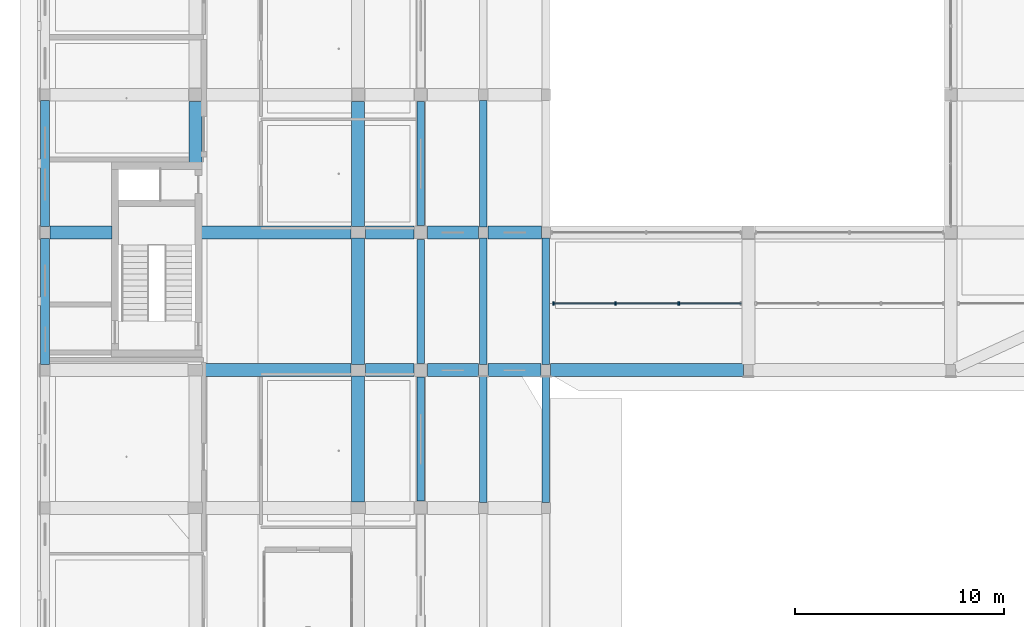
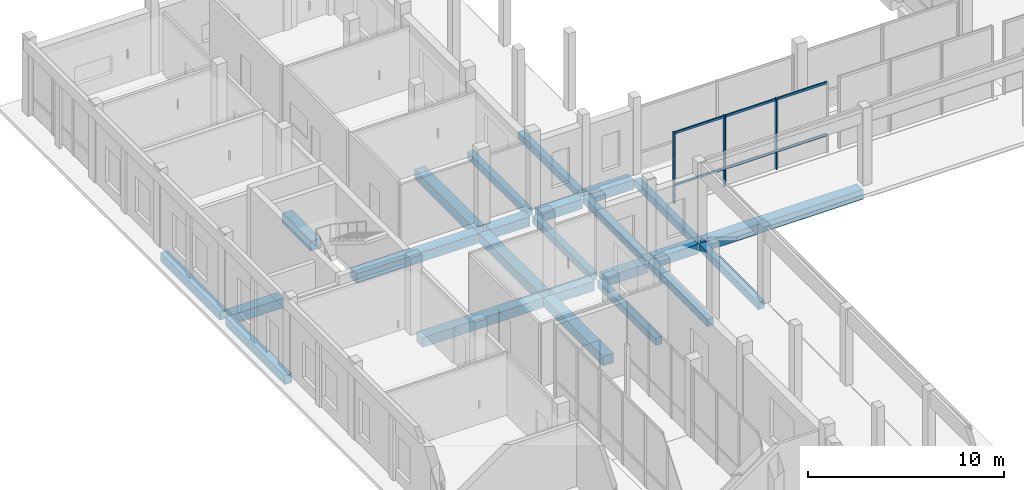
# One storey, part 23 of 88: 24 beams, 5 members, 1 element without a shape of its own.
"""IFC4 building model written with IfcOpenShell, lengths in metres."""

from ifc_helpers import new_model, si_unit, derived_unit, direction, frame, origin, origin_2d, place, context, subcontext, project, spatial, rectangle, extrude, material, material_profile, profile_set, type_object, element, aggregate, save


model = new_model("IFC4")

# Units and contexts
model_context = context("Model", 3, precision=1e-05, world=origin(), true_north=direction((0.0, 1.0)))
body_context = subcontext(model_context, "Body", "Model", "MODEL_VIEW")
ifc_project = project(units=[si_unit("LENGTHUNIT", "METRE"), si_unit("AREAUNIT", "SQUARE_METRE"), si_unit("VOLUMEUNIT", "CUBIC_METRE"), si_unit("PLANEANGLEUNIT", "RADIAN"), si_unit("MASSUNIT", "GRAM", prefix="KILO"), derived_unit("THERMALTRANSMITTANCEUNIT", [(si_unit("POWERUNIT", "WATT"), 1), (si_unit("LENGTHUNIT", "METRE"), -2), (si_unit("THERMODYNAMICTEMPERATUREUNIT", "KELVIN"), -1)])], contexts=[model_context])

# Site, building, storey
site_placement = place(None, origin())
site = spatial("IfcSite", under=ifc_project, at=site_placement, CompositionType="ELEMENT")
building_placement = place(site_placement, origin())
building = spatial("IfcBuilding", under=site, at=building_placement, Name="Braskholm Square Health Centre", CompositionType="ELEMENT")
storey_placement = place(building_placement, origin())
storey = spatial("IfcBuildingStorey", under=building, at=storey_placement, Name="L01", CompositionType="ELEMENT", Elevation=0.0)

# Curtain wall, members
ifc_material_1 = material(Name="Low-E triple insulating glass (VLT 0.64)", Category="glass")
curtain_wall_type = type_object("IfcCurtainWallType", Name="UnitisedCurtainWall6200x4400", PredefinedType="NOTDEFINED", material=ifc_material_1)
curtain_wall_placement = place(storey_placement, origin())
curtain_wall = element("IfcCurtainWall", 1, at=curtain_wall_placement, inside=storey, type_object=curtain_wall_type, Name="Hall Arcade unitised curtain wall CW-L01-0171", PredefinedType="NOTDEFINED")
ifc_material_2 = material(Name="Architectural bronze anodised aluminium", Category="aluminium")
ifc_material_profile_1 = material_profile(ifc_material_2, rectangle(XDim=0.074951171875, YDim=0.179931640625, at=origin_2d()), Name="ALU-75X180")
ifc_profile_set_1 = profile_set([ifc_material_profile_1], Name="Architectural bronze anodised aluminium")
member_type_1 = type_object("IfcMemberType", Name="CurtainWallMullion75x180", PredefinedType="MULLION", material=ifc_profile_set_1)
member_1_placement = place(storey_placement, frame((28.5546875, 90.39990234375, 0.0), z_axis=(0.0, 0.0, 1.0), x_axis=(1.0, 0.0, 0.0)))
member_1 = element("IfcMember", 2, at=member_1_placement, type_object=member_type_1, Name="CW-L01-0171 vertical mullion 1", PredefinedType="MULLION", context=body_context, shape_type="SweptSolid", body=[
    extrude(rectangle(XDim=0.074951171875, YDim=0.179931640625, at=origin_2d()), origin(), (0.0, 0.0, 1.0), 4.419921875),
])
member_2_placement = place(storey_placement, frame((31.533203125, 90.39990234375, 0.0), z_axis=(0.0, 0.0, 1.0), x_axis=(1.0, 0.0, 0.0)))
member_2 = element("IfcMember", 3, at=member_2_placement, type_object=member_type_1, Name="CW-L01-0171 vertical mullion 2", PredefinedType="MULLION", context=body_context, shape_type="SweptSolid", body=[
    extrude(rectangle(XDim=0.074951171875, YDim=0.179931640625, at=origin_2d()), origin(), (0.0, 0.0, 1.0), 4.419921875),
])
member_3_placement = place(storey_placement, frame((34.566650390625, 90.39990234375, 0.0), z_axis=(0.0, 0.0, 1.0), x_axis=(1.0, 0.0, 0.0)))
member_3 = element("IfcMember", 4, at=member_3_placement, type_object=member_type_1, Name="CW-L01-0171 vertical mullion 3", PredefinedType="MULLION", context=body_context, shape_type="SweptSolid", body=[
    extrude(rectangle(XDim=0.074951171875, YDim=0.179931640625, at=origin_2d()), origin(), (0.0, 0.0, 1.0), 4.419921875),
])
ifc_material_profile_2 = material_profile(ifc_material_2, rectangle(XDim=0.074951171875, YDim=0.139892578125, at=origin_2d()), Name="ALU-75X140")
ifc_profile_set_2 = profile_set([ifc_material_profile_2], Name="Architectural bronze anodised aluminium")
member_type_2 = type_object("IfcMemberType", Name="CurtainWallTransom75x140", PredefinedType="USERDEFINED", material=ifc_profile_set_2)
member_4_placement = place(storey_placement, frame((28.544921875, 90.39990234375, 1.1201171875), z_axis=(1.0, 0.0, 0.0), x_axis=(0.0, 1.0, 0.0)))
member_4 = element("IfcMember", 5, at=member_4_placement, type_object=member_type_2, Name="CW-L01-0171 horizontal transom 1", ObjectType="TRANSOM", PredefinedType="USERDEFINED", context=body_context, shape_type="SweptSolid", body=[
    extrude(rectangle(XDim=0.074951171875, YDim=0.139892578125, at=origin_2d()), origin(), (0.0, 0.0, 1.0), 9.010009765625),
])
member_5_placement = place(storey_placement, frame((28.544921875, 90.39990234375, 4.35009765625), z_axis=(1.0, 0.0, 0.0), x_axis=(0.0, 1.0, 0.0)))
member_5 = element("IfcMember", 6, at=member_5_placement, type_object=member_type_2, Name="CW-L01-0171 horizontal transom 2", ObjectType="TRANSOM", PredefinedType="USERDEFINED", context=body_context, shape_type="SweptSolid", body=[
    extrude(rectangle(XDim=0.074951171875, YDim=0.139892578125, at=origin_2d()), origin(), (0.0, 0.0, 1.0), 9.010009765625),
])
aggregate(curtain_wall, [member_1, member_2, member_3, member_4, member_5])

# Beams
ifc_material_3 = material(Name="Concrete C40/50 (f'c = 40 MPa)", Category="concrete")
ifc_material_profile_3 = material_profile(ifc_material_3, rectangle(XDim=0.6201171875, YDim=0.60009765625, at=origin_2d()), Name="RCB-620X600")
ifc_profile_set_3 = profile_set([ifc_material_profile_3], Name="Concrete C40/50 (f'c = 40 MPa)")
beam_type_1 = type_object("IfcBeamType", Name="PrimarySubstructureBeam620x600", PredefinedType="BEAM", material=ifc_profile_set_3)
beam_1_placement = place(storey_placement, frame((11.39990234375, 97.14990234375, -0.679931640625), z_axis=(0.0, 1.0, 0.0), x_axis=(-1.0, 0.0, 0.0)))
element("IfcBeam", 7, at=beam_1_placement, inside=storey, type_object=beam_type_1, Name="Beam 2/N-Q L01", PredefinedType="BEAM", context=body_context, shape_type="SweptSolid", body=[
    extrude(rectangle(XDim=0.6201171875, YDim=0.60009765625, at=origin_2d()), origin(), (0.0, 0.0, 1.0), 2.925048828125),
])
beam_2_placement = place(storey_placement, frame((19.199951171875, 80.875, -0.679931640625), z_axis=(0.0, 1.0, 0.0), x_axis=(-1.0, 0.0, 0.0)))
element("IfcBeam", 8, at=beam_2_placement, inside=storey, type_object=beam_type_1, Name="Beam 3/M-N L01", PredefinedType="BEAM", context=body_context, shape_type="SweptSolid", body=[
    extrude(rectangle(XDim=0.6201171875, YDim=0.60009765625, at=origin_2d()), origin(), (0.0, 0.0, 1.0), 6.050048828125),
])
beam_3_placement = place(storey_placement, frame((19.199951171875, 87.47509765625, -0.679931640625), z_axis=(0.0, 1.0, 0.0), x_axis=(-1.0, 0.0, 0.0)))
element("IfcBeam", 9, at=beam_3_placement, inside=storey, type_object=beam_type_1, Name="Beam 3/N-P L01", PredefinedType="BEAM", context=body_context, shape_type="SweptSolid", body=[
    extrude(rectangle(XDim=0.6201171875, YDim=0.60009765625, at=origin_2d()), origin(), (0.0, 0.0, 1.0), 6.0498046875),
])
beam_4_placement = place(storey_placement, frame((19.199951171875, 94.074951171875, -0.679931640625), z_axis=(0.0, 1.0, 0.0), x_axis=(-1.0, 0.0, 0.0)))
element("IfcBeam", 10, at=beam_4_placement, inside=storey, type_object=beam_type_1, Name="Beam 3/P-Q L01", PredefinedType="BEAM", context=body_context, shape_type="SweptSolid", body=[
    extrude(rectangle(XDim=0.6201171875, YDim=0.60009765625, at=origin_2d()), origin(), (0.0, 0.0, 1.0), 6.0),
])
beam_5_placement = place(storey_placement, frame((11.75, 87.199951171875, -0.679931640625), z_axis=(1.0, 0.0, 0.0), x_axis=(0.0, 1.0, 0.0)))
element("IfcBeam", 11, at=beam_5_placement, inside=storey, type_object=beam_type_1, Name="Beam 2-3/N L01", PredefinedType="BEAM", context=body_context, shape_type="SweptSolid", body=[
    extrude(rectangle(XDim=0.6201171875, YDim=0.60009765625, at=origin_2d()), origin(), (0.0, 0.0, 1.0), 7.10009765625),
])
beam_6_placement = place(storey_placement, frame((19.550048828125, 87.199951171875, -0.679931640625), z_axis=(1.0, 0.0, 0.0), x_axis=(0.0, 1.0, 0.0)))
element("IfcBeam", 12, at=beam_6_placement, inside=storey, type_object=beam_type_1, Name="Beam 3-4/N L01", PredefinedType="BEAM", context=body_context, shape_type="SweptSolid", body=[
    extrude(rectangle(XDim=0.6201171875, YDim=0.60009765625, at=origin_2d()), origin(), (0.0, 0.0, 1.0), 2.324951171875),
])
beam_7_placement = place(storey_placement, frame((22.52490234375, 87.199951171875, -0.679931640625), z_axis=(1.0, 0.0, 0.0), x_axis=(0.0, 1.0, 0.0)))
element("IfcBeam", 13, at=beam_7_placement, inside=storey, type_object=beam_type_1, Name="Beam 4-5/N L01", PredefinedType="BEAM", context=body_context, shape_type="SweptSolid", body=[
    extrude(rectangle(XDim=0.6201171875, YDim=0.60009765625, at=origin_2d()), origin(), (0.0, 0.0, 1.0), 2.455078125),
])
beam_8_placement = place(storey_placement, frame((25.419921875, 87.199951171875, -0.52490234375), z_axis=(1.0, 0.0, 0.0), x_axis=(0.0, 1.0, 0.0)))
element("IfcBeam", 14, at=beam_8_placement, inside=storey, type_object=beam_type_1, Name="Beam 5-6/N L01", PredefinedType="BEAM", context=body_context, shape_type="SweptSolid", body=[
    extrude(rectangle(XDim=0.6201171875, YDim=0.60009765625, at=origin_2d()), origin(), (0.0, 0.0, 1.0), 2.550048828125),
])
beam_9_placement = place(storey_placement, frame((28.429931640625, 87.199951171875, -0.52490234375), z_axis=(1.0, 0.0, 0.0), x_axis=(0.0, 1.0, 0.0)))
element("IfcBeam", 15, at=beam_9_placement, inside=storey, type_object=beam_type_1, Name="Beam 6-7/N L01", PredefinedType="BEAM", context=body_context, shape_type="SweptSolid", body=[
    extrude(rectangle(XDim=0.6201171875, YDim=0.60009765625, at=origin_2d()), origin(), (0.0, 0.0, 1.0), 9.239990234375),
])
beam_10_placement = place(storey_placement, frame((4.429931640625, 93.800048828125, -0.679931640625), z_axis=(1.0, 0.0, 0.0), x_axis=(0.0, 1.0, 0.0)))
element("IfcBeam", 16, at=beam_10_placement, inside=storey, type_object=beam_type_1, Name="Beam 1-3/P L01", PredefinedType="BEAM", context=body_context, shape_type="SweptSolid", body=[
    extrude(rectangle(XDim=0.6201171875, YDim=0.60009765625, at=origin_2d()), origin(), (0.0, 0.0, 1.0), 2.969970703125),
])
beam_11_placement = place(storey_placement, frame((11.699951171875, 93.800048828125, -0.679931640625), z_axis=(1.0, 0.0, 0.0), x_axis=(0.0, 1.0, 0.0)))
element("IfcBeam", 17, at=beam_11_placement, inside=storey, type_object=beam_type_1, Name="Beam 1-3/P L01", PredefinedType="BEAM", context=body_context, shape_type="SweptSolid", body=[
    extrude(rectangle(XDim=0.6201171875, YDim=0.60009765625, at=origin_2d()), origin(), (0.0, 0.0, 1.0), 7.150146484375),
])
beam_12_placement = place(storey_placement, frame((19.550048828125, 93.800048828125, -0.679931640625), z_axis=(1.0, 0.0, 0.0), x_axis=(0.0, 1.0, 0.0)))
element("IfcBeam", 18, at=beam_12_placement, inside=storey, type_object=beam_type_1, Name="Beam 3-4/P L01", PredefinedType="BEAM", context=body_context, shape_type="SweptSolid", body=[
    extrude(rectangle(XDim=0.6201171875, YDim=0.60009765625, at=origin_2d()), origin(), (0.0, 0.0, 1.0), 2.324951171875),
])
beam_13_placement = place(storey_placement, frame((22.52490234375, 93.800048828125, -0.679931640625), z_axis=(1.0, 0.0, 0.0), x_axis=(0.0, 1.0, 0.0)))
element("IfcBeam", 19, at=beam_13_placement, inside=storey, type_object=beam_type_1, Name="Beam 4-5/P L01", PredefinedType="BEAM", context=body_context, shape_type="SweptSolid", body=[
    extrude(rectangle(XDim=0.6201171875, YDim=0.60009765625, at=origin_2d()), origin(), (0.0, 0.0, 1.0), 2.455078125),
])
beam_14_placement = place(storey_placement, frame((25.419921875, 93.800048828125, -0.52490234375), z_axis=(1.0, 0.0, 0.0), x_axis=(0.0, 1.0, 0.0)))
element("IfcBeam", 20, at=beam_14_placement, inside=storey, type_object=beam_type_1, Name="Beam 5-6/P L01", PredefinedType="BEAM", context=body_context, shape_type="SweptSolid", body=[
    extrude(rectangle(XDim=0.6201171875, YDim=0.60009765625, at=origin_2d()), origin(), (0.0, 0.0, 1.0), 2.56005859375),
])
ifc_material_4 = material(Name="Precast concrete C40/50 architectural white", Category="concrete")
ifc_material_profile_4 = material_profile(ifc_material_4, rectangle(XDim=0.419921875, YDim=0.550048828125, at=origin_2d()), Name="RCB-420X550")
ifc_profile_set_4 = profile_set([ifc_material_profile_4], Name="Precast concrete C40/50 architectural white")
beam_type_2 = type_object("IfcBeamType", Name="SpandrelPrecastLedge420x550", PredefinedType="SPANDREL", material=ifc_profile_set_4)
for number, where, z_axis, x_axis, name in (
    (21, (4.199951171875, 87.47998046875, -0.655029296875), (0.0, 1.0, 0.0), (-1.0, 0.0, 0.0), "Beam 1/N-P L01"),
    (22, (4.199951171875, 94.080078125, -0.655029296875), (0.0, 1.0, 0.0), (-1.0, 0.0, 0.0), "Beam 1/P-Q L01"),
):
    element("IfcBeam", number, at=place(storey_placement, frame(where, z_axis=z_axis, x_axis=x_axis)), inside=storey, type_object=beam_type_2, Name=name, PredefinedType="SPANDREL", context=body_context, shape_type="SweptSolid", body=[
        extrude(rectangle(XDim=0.419921875, YDim=0.550048828125, at=origin_2d()), origin(), (0.0, 0.0, 1.0), 6.0400390625),
    ])
ifc_material_profile_5 = material_profile(ifc_material_4, rectangle(XDim=0.360107421875, YDim=0.4599609375, at=origin_2d()), Name="RCB-360X460")
ifc_profile_set_5 = profile_set([ifc_material_profile_5], Name="Precast concrete C40/50 architectural white")
beam_type_3 = type_object("IfcBeamType", Name="SpandrelTerraceEdge360x460", PredefinedType="SPANDREL", material=ifc_profile_set_5)
beam_15_placement = place(storey_placement, frame((22.199951171875, 80.925048828125, -0.610107421875), z_axis=(0.0, 1.0, 0.0), x_axis=(-1.0, 0.0, 0.0)))
element("IfcBeam", 23, at=beam_15_placement, inside=storey, type_object=beam_type_3, Name="Beam 4/M-N L01", PredefinedType="SPANDREL", context=body_context, shape_type="SweptSolid", body=[
    extrude(rectangle(XDim=0.360107421875, YDim=0.4599609375, at=origin_2d()), origin(), (0.0, 0.0, 1.0), 5.949951171875),
])
beam_16_placement = place(storey_placement, frame((22.199951171875, 87.52490234375, -0.610107421875), z_axis=(0.0, 1.0, 0.0), x_axis=(-1.0, 0.0, 0.0)))
element("IfcBeam", 24, at=beam_16_placement, inside=storey, type_object=beam_type_3, Name="Beam 4/N-P L01", PredefinedType="SPANDREL", context=body_context, shape_type="SweptSolid", body=[
    extrude(rectangle(XDim=0.360107421875, YDim=0.4599609375, at=origin_2d()), origin(), (0.0, 0.0, 1.0), 5.9501953125),
])
beam_17_placement = place(storey_placement, frame((22.199951171875, 94.125, -0.610107421875), z_axis=(0.0, 1.0, 0.0), x_axis=(-1.0, 0.0, 0.0)))
element("IfcBeam", 25, at=beam_17_placement, inside=storey, type_object=beam_type_3, Name="Beam 4/P-Q L01", PredefinedType="SPANDREL", context=body_context, shape_type="SweptSolid", body=[
    extrude(rectangle(XDim=0.360107421875, YDim=0.4599609375, at=origin_2d()), origin(), (0.0, 0.0, 1.0), 5.949951171875),
])
beam_18_placement = place(storey_placement, frame((25.199951171875, 80.8701171875, -0.455078125), z_axis=(0.0, 1.0, 0.0), x_axis=(-1.0, 0.0, 0.0)))
element("IfcBeam", 26, at=beam_18_placement, inside=storey, type_object=beam_type_3, Name="Beam 5/M-N L01", PredefinedType="SPANDREL", context=body_context, shape_type="SweptSolid", body=[
    extrude(rectangle(XDim=0.360107421875, YDim=0.4599609375, at=origin_2d()), origin(), (0.0, 0.0, 1.0), 6.059814453125),
])
beam_19_placement = place(storey_placement, frame((25.199951171875, 87.469970703125, -0.455078125), z_axis=(0.0, 1.0, 0.0), x_axis=(-1.0, 0.0, 0.0)))
element("IfcBeam", 27, at=beam_19_placement, inside=storey, type_object=beam_type_3, Name="Beam 5/N-P L01", PredefinedType="SPANDREL", context=body_context, shape_type="SweptSolid", body=[
    extrude(rectangle(XDim=0.360107421875, YDim=0.4599609375, at=origin_2d()), origin(), (0.0, 0.0, 1.0), 6.06005859375),
])
beam_20_placement = place(storey_placement, frame((25.199951171875, 94.070068359375, -0.455078125), z_axis=(0.0, 1.0, 0.0), x_axis=(-1.0, 0.0, 0.0)))
element("IfcBeam", 28, at=beam_20_placement, inside=storey, type_object=beam_type_3, Name="Beam 5/P-Q L01", PredefinedType="SPANDREL", context=body_context, shape_type="SweptSolid", body=[
    extrude(rectangle(XDim=0.360107421875, YDim=0.4599609375, at=origin_2d()), origin(), (0.0, 0.0, 1.0), 6.059814453125),
])
beam_21_placement = place(storey_placement, frame((28.199951171875, 80.8701171875, -0.455078125), z_axis=(0.0, 1.0, 0.0), x_axis=(-1.0, 0.0, 0.0)))
element("IfcBeam", 29, at=beam_21_placement, inside=storey, type_object=beam_type_3, Name="Beam 6/M-N L01", PredefinedType="SPANDREL", context=body_context, shape_type="SweptSolid", body=[
    extrude(rectangle(XDim=0.360107421875, YDim=0.4599609375, at=origin_2d()), origin(), (0.0, 0.0, 1.0), 6.0498046875),
])
beam_22_placement = place(storey_placement, frame((28.199951171875, 87.47998046875, -0.455078125), z_axis=(0.0, 1.0, 0.0), x_axis=(-1.0, 0.0, 0.0)))
element("IfcBeam", 30, at=beam_22_placement, inside=storey, type_object=beam_type_3, Name="Beam 6/N-P L01", PredefinedType="SPANDREL", context=body_context, shape_type="SweptSolid", body=[
    extrude(rectangle(XDim=0.360107421875, YDim=0.4599609375, at=origin_2d()), origin(), (0.0, 0.0, 1.0), 6.050048828125),
])

save(model, "model.ifc")
